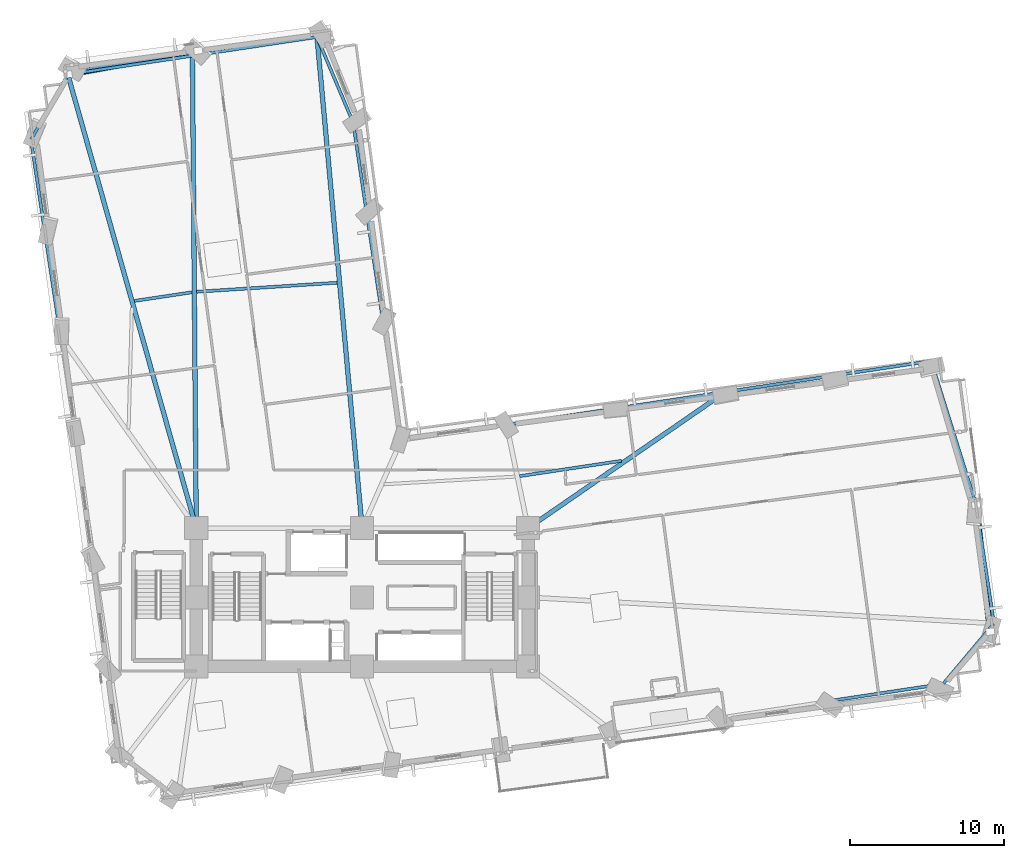
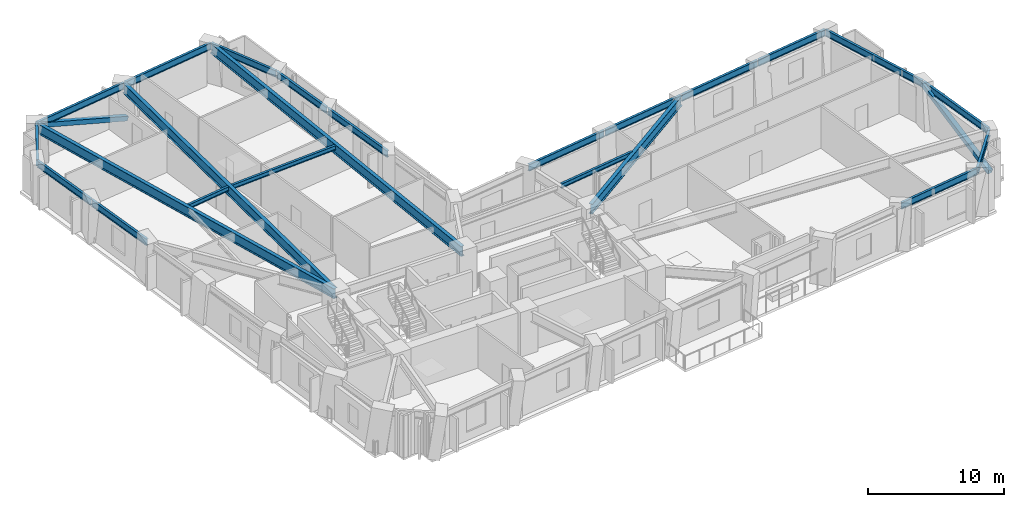
# One storey, part 2 of 14: 23 beams, 2 members.
"""IFC4 building model written with IfcOpenShell, lengths in metres."""

from ifc_helpers import new_model, si_unit, direction, frame, origin, origin_2d, place, context, subcontext, project, spatial, hollow_rectangle, i_section, extrude, material, material_profile, profile_set, type_object, element, save


model = new_model("IFC4")

# Units and contexts
model_context = context("Model", 3, precision=1e-05, world=origin(), true_north=direction((0.0, 1.0)))
body_context = subcontext(model_context, "Body", "Model", "MODEL_VIEW")
ifc_project = project(units=[si_unit("LENGTHUNIT", "METRE"), si_unit("AREAUNIT", "SQUARE_METRE"), si_unit("VOLUMEUNIT", "CUBIC_METRE"), si_unit("PLANEANGLEUNIT", "RADIAN"), si_unit("MASSUNIT", "GRAM", prefix="KILO")], contexts=[model_context])

# Site, building, storey
site_placement = place(None, origin())
site = spatial("IfcSite", under=ifc_project, at=site_placement, CompositionType="ELEMENT")
building_placement = place(site_placement, origin())
building = spatial("IfcBuilding", under=site, at=building_placement, Name="Gaonmaruhae Medical Tower", CompositionType="ELEMENT")
storey_placement = place(building_placement, frame((0.0, 0.0, 55.0)))
storey = spatial("IfcBuildingStorey", under=building, at=storey_placement, Name="L12", CompositionType="ELEMENT", Elevation=55.0)

# Beams
ifc_material_1 = material(Name="Steel SM355", Category="steel")
ifc_material_profile_1 = material_profile(ifc_material_1, i_section(OverallWidth=0.199951171875, OverallDepth=0.39990234375, WebThickness=0.008056640625, FlangeThickness=0.012939453125, FilletRadius=0.012939453125, at=origin_2d()), Name="H-400x200x8x13")
ifc_profile_set_1 = profile_set([ifc_material_profile_1], Name="Steel SM355")
beam_type_1 = type_object("IfcBeamType", Name="FJ-01 Lower Zone Ward Floor Joist (H-400x200x8x13)", PredefinedType="JOIST", material=ifc_profile_set_1)
beam_1_placement = place(storey_placement, frame((41.6748046875, 21.18115234375, 3.580078125), z_axis=(-0.98888682735, -0.148670248182, 0.0), x_axis=(0.148670248182, -0.98888682735, 0.0)))
element("IfcBeam", 1, at=beam_1_placement, inside=storey, type_object=beam_type_1, Name="L12 Secondary Floor Joist FJ05", PredefinedType="JOIST", context=body_context, shape_type="SweptSolid", body=[
    extrude(i_section(OverallWidth=0.199951171875, OverallDepth=0.39990234375, WebThickness=0.008056640625, FlangeThickness=0.012939453125, FilletRadius=0.012939453125, at=origin_2d()), origin(), (0.0, 0.0, 1.0), 6.69677734375),
])
beam_2_placement = place(storey_placement, frame((23.172119140625, 32.775146484375, 3.580078125), z_axis=(-0.997927131101, -0.064354028722, 0.0), x_axis=(0.064354028722, -0.997927131101, 0.0)))
element("IfcBeam", 2, at=beam_2_placement, inside=storey, type_object=beam_type_1, Name="L12 Secondary Floor Joist FJ08", PredefinedType="JOIST", context=body_context, shape_type="SweptSolid", body=[
    extrude(i_section(OverallWidth=0.199951171875, OverallDepth=0.39990234375, WebThickness=0.008056640625, FlangeThickness=0.012939453125, FilletRadius=0.012939453125, at=origin_2d()), origin(), (0.0, 0.0, 1.0), 9.161865234375),
])
beam_3_placement = place(storey_placement, frame((13.7177734375, 32.152099609375, 3.580078125), z_axis=(-0.988888522299, -0.14865897371, 0.0), x_axis=(0.14865897371, -0.988888522299, 0.0)))
element("IfcBeam", 3, at=beam_3_placement, inside=storey, type_object=beam_type_1, Name="L12 Secondary Floor Joist FJ09", PredefinedType="JOIST", context=body_context, shape_type="SweptSolid", body=[
    extrude(i_section(OverallWidth=0.199951171875, OverallDepth=0.39990234375, WebThickness=0.008056640625, FlangeThickness=0.012939453125, FilletRadius=0.012939453125, at=origin_2d()), origin(), (0.0, 0.0, 1.0), 3.785400390625),
])

# Members
ifc_material_2 = material(Name="Steel SM420", Category="steel")
ifc_material_profile_2 = material_profile(ifc_material_2, hollow_rectangle(XDim=0.39990234375, YDim=0.39990234375, WallThickness=0.01611328125, at=origin_2d()), Name="RHS-400x400x16")
ifc_profile_set_2 = profile_set([ifc_material_profile_2], Name="Steel SM420")
member_type = type_object("IfcMemberType", Name="PB-01 Perimeter Solid-Bay Tube Brace Lower (RHS-400x400x16)", PredefinedType="BRACE", material=ifc_profile_set_2)
member_1_placement = place(storey_placement, frame((65.680908203125, 10.0634765625, 0.25), z_axis=(-0.103093564893, 0.924257886315, 0.367585468241), x_axis=(-0.993836644432, -0.110854518108, 0.0)))
element("IfcMember", 4, at=member_1_placement, inside=storey, type_object=member_type, Name="L12 Perimeter Tube Solid-Bay Brace E01-E02", PredefinedType="BRACE", context=body_context, shape_type="SweptSolid", body=[
    extrude(hollow_rectangle(XDim=0.39990234375, YDim=0.39990234375, WallThickness=0.01611328125, at=origin_2d()), origin(), (0.0, 0.0, 1.0), 8.923095703125),
])
member_2_placement = place(storey_placement, frame((14.126708984375, 47.877197265625, 0.25), z_axis=(-0.919626209012, -0.167394716044, 0.355340181711), x_axis=(0.179082144859, -0.983834124938, 0.0)))
element("IfcMember", 5, at=member_2_placement, inside=storey, type_object=member_type, Name="L12 Perimeter Tube Solid-Bay Brace N02-N03", PredefinedType="BRACE", context=body_context, shape_type="SweptSolid", body=[
    extrude(hollow_rectangle(XDim=0.39990234375, YDim=0.39990234375, WallThickness=0.01611328125, at=origin_2d()), origin(), (0.0, 0.0, 1.0), 9.230712890625),
])

# Beams
ifc_material_profile_3 = material_profile(ifc_material_2, i_section(OverallWidth=0.300048828125, OverallDepth=0.89990234375, WebThickness=0.01611328125, FlangeThickness=0.028076171875, FilletRadius=0.01806640625, at=origin_2d()), Name="H-900x300x16x28")
ifc_profile_set_3 = profile_set([ifc_material_profile_3], Name="Steel SM420")
beam_type_2 = type_object("IfcBeamType", Name="PG-01 Zone 1 Radial Floor Girder (H-900x300x16x28)", PredefinedType="BEAM", material=ifc_profile_set_3)
beam_4_placement = place(storey_placement, frame((35.64111328125, 16.828369140625, 3.330078125), z_axis=(0.82282675599, 0.568292292422, 0.0), x_axis=(-0.568292292422, 0.82282675599, 0.0)))
element("IfcBeam", 6, at=beam_4_placement, inside=storey, type_object=beam_type_2, Name="L12 Radial Primary Girder EN02", PredefinedType="BEAM", context=body_context, shape_type="SweptSolid", body=[
    extrude(i_section(OverallWidth=0.300048828125, OverallDepth=0.89990234375, WebThickness=0.01611328125, FlangeThickness=0.028076171875, FilletRadius=0.01806640625, at=origin_2d()), origin(), (0.0, 0.0, 1.0), 15.5),
])
beam_5_placement = place(storey_placement, frame((24.79541015625, 16.849853515625, 3.330078125), z_axis=(-0.091704907397, 0.995786227038, 0.0), x_axis=(-0.995786227038, -0.091704907397, 0.0)))
element("IfcBeam", 7, at=beam_5_placement, inside=storey, type_object=beam_type_2, Name="L12 Radial Primary Girder N01", PredefinedType="BEAM", context=body_context, shape_type="SweptSolid", body=[
    extrude(i_section(OverallWidth=0.300048828125, OverallDepth=0.89990234375, WebThickness=0.01611328125, FlangeThickness=0.028076171875, FilletRadius=0.01806640625, at=origin_2d()), origin(), (0.0, 0.0, 1.0), 32.00537109375),
])
beam_6_placement = place(storey_placement, frame((13.99951171875, 16.85009765625, 3.330078125), z_axis=(-0.008227715794, 0.999966151774, 0.0), x_axis=(-0.999966151774, -0.008227715794, 0.0)))
element("IfcBeam", 8, at=beam_6_placement, inside=storey, type_object=beam_type_2, Name="L12 Radial Primary Girder N02", PredefinedType="BEAM", context=body_context, shape_type="SweptSolid", body=[
    extrude(i_section(OverallWidth=0.300048828125, OverallDepth=0.89990234375, WebThickness=0.01611328125, FlangeThickness=0.028076171875, FilletRadius=0.01806640625, at=origin_2d()), origin(), (0.0, 0.0, 1.0), 30.652099609375),
])
beam_7_placement = place(storey_placement, frame((13.986328125, 16.84814453125, 3.330078125), z_axis=(-0.27243844866, 0.962173212936, 0.0), x_axis=(-0.962173212936, -0.27243844866, 0.0)))
element("IfcBeam", 9, at=beam_7_placement, inside=storey, type_object=beam_type_2, Name="L12 Radial Primary Girder N03", PredefinedType="BEAM", context=body_context, shape_type="SweptSolid", body=[
    extrude(i_section(OverallWidth=0.300048828125, OverallDepth=0.89990234375, WebThickness=0.01611328125, FlangeThickness=0.028076171875, FilletRadius=0.01806640625, at=origin_2d()), origin(), (0.0, 0.0, 1.0), 30.593017578125),
])
ifc_material_profile_4 = material_profile(ifc_material_1, i_section(OverallWidth=0.199951171875, OverallDepth=0.60009765625, WebThickness=0.010986328125, FlangeThickness=0.01708984375, FilletRadius=0.012939453125, at=origin_2d()), Name="H-600x200x11x17")
ifc_profile_set_4 = profile_set([ifc_material_profile_4], Name="Steel SM355")
beam_type_3 = type_object("IfcBeamType", Name="SP-01 Lower Perimeter Spandrel Beam (H-600x200x11x17)", PredefinedType="SPANDREL", material=ifc_profile_set_4)
beam_8_placement = place(storey_placement, frame((55.53857421875, 5.59814453125, 3.47998046875), z_axis=(0.988885236774, 0.148680827582, 0.0), x_axis=(-0.148680827582, 0.988885236774, 0.0)))
element("IfcBeam", 10, at=beam_8_placement, inside=storey, type_object=beam_type_3, Name="L12 Perimeter Spandrel Beam S07-S08", PredefinedType="SPANDREL", context=body_context, shape_type="SweptSolid", body=[
    extrude(i_section(OverallWidth=0.199951171875, OverallDepth=0.60009765625, WebThickness=0.010986328125, FlangeThickness=0.01708984375, FilletRadius=0.012939453125, at=origin_2d()), origin(), (0.0, 0.0, 1.0), 7.119873046875),
])
beam_9_placement = place(storey_placement, frame((62.644775390625, 6.693359375, 3.47998046875), z_axis=(0.642807000103, 0.76602817221, 0.0), x_axis=(-0.76602817221, 0.642807000103, 0.0)))
element("IfcBeam", 11, at=beam_9_placement, inside=storey, type_object=beam_type_3, Name="L12 Perimeter Spandrel Beam S08-E01", PredefinedType="SPANDREL", context=body_context, shape_type="SweptSolid", body=[
    extrude(i_section(OverallWidth=0.199951171875, OverallDepth=0.60009765625, WebThickness=0.010986328125, FlangeThickness=0.01708984375, FilletRadius=0.012939453125, at=origin_2d()), origin(), (0.0, 0.0, 1.0), 5.056396484375),
])
beam_10_placement = place(storey_placement, frame((65.914794921875, 10.636962890625, 3.47998046875), z_axis=(-0.148665191842, 0.988887587512, 0.0), x_axis=(-0.988887587512, -0.148665191842, 0.0)))
element("IfcBeam", 12, at=beam_10_placement, inside=storey, type_object=beam_type_3, Name="L12 Perimeter Spandrel Beam E01-E02", PredefinedType="SPANDREL", context=body_context, shape_type="SweptSolid", body=[
    extrude(i_section(OverallWidth=0.199951171875, OverallDepth=0.60009765625, WebThickness=0.010986328125, FlangeThickness=0.01708984375, FilletRadius=0.012939453125, at=origin_2d()), origin(), (0.0, 0.0, 1.0), 7.719970703125),
])
beam_11_placement = place(storey_placement, frame((64.749267578125, 18.348876953125, 3.47998046875), z_axis=(-0.298053654942, 0.954549118053, 0.0), x_axis=(-0.954549118053, -0.298053654942, 0.0)))
element("IfcBeam", 13, at=beam_11_placement, inside=storey, type_object=beam_type_3, Name="L12 Perimeter Spandrel Beam E02-E03", PredefinedType="SPANDREL", context=body_context, shape_type="SweptSolid", body=[
    extrude(i_section(OverallWidth=0.199951171875, OverallDepth=0.60009765625, WebThickness=0.010986328125, FlangeThickness=0.01708984375, FilletRadius=0.012939453125, at=origin_2d()), origin(), (0.0, 0.0, 1.0), 9.735107421875),
])
beam_12_placement = place(storey_placement, frame((61.796142578125, 27.673828125, 3.47998046875), z_axis=(-0.988888033624, -0.148662224372, 0.0), x_axis=(0.148662224372, -0.988888033624, 0.0)))
element("IfcBeam", 14, at=beam_12_placement, inside=storey, type_object=beam_type_3, Name="L12 Perimeter Spandrel Beam E03-EN01", PredefinedType="SPANDREL", context=body_context, shape_type="SweptSolid", body=[
    extrude(i_section(OverallWidth=0.199951171875, OverallDepth=0.60009765625, WebThickness=0.010986328125, FlangeThickness=0.01708984375, FilletRadius=0.012939453125, at=origin_2d()), origin(), (0.0, 0.0, 1.0), 6.27001953125),
])
beam_13_placement = place(storey_placement, frame((55.5166015625, 26.729736328125, 3.47998046875), z_axis=(-0.98889027781, -0.148647295479, 0.0), x_axis=(0.148647295479, -0.98889027781, 0.0)))
element("IfcBeam", 15, at=beam_13_placement, inside=storey, type_object=beam_type_3, Name="L12 Perimeter Spandrel Beam EN01-EN02", PredefinedType="SPANDREL", context=body_context, shape_type="SweptSolid", body=[
    extrude(i_section(OverallWidth=0.199951171875, OverallDepth=0.60009765625, WebThickness=0.010986328125, FlangeThickness=0.01708984375, FilletRadius=0.012939453125, at=origin_2d()), origin(), (0.0, 0.0, 1.0), 7.119873046875),
])
beam_14_placement = place(storey_placement, frame((48.396728515625, 25.659423828125, 3.47998046875), z_axis=(-0.988885994747, -0.148675786173, 0.0), x_axis=(0.148675786173, -0.988885994747, 0.0)))
element("IfcBeam", 16, at=beam_14_placement, inside=storey, type_object=beam_type_3, Name="L12 Perimeter Spandrel Beam EN02-EN03", PredefinedType="SPANDREL", context=body_context, shape_type="SweptSolid", body=[
    extrude(i_section(OverallWidth=0.199951171875, OverallDepth=0.60009765625, WebThickness=0.010986328125, FlangeThickness=0.01708984375, FilletRadius=0.012939453125, at=origin_2d()), origin(), (0.0, 0.0, 1.0), 7.1201171875),
])
beam_15_placement = place(storey_placement, frame((41.276611328125, 24.5888671875, 3.47998046875), z_axis=(-0.98889027781, -0.148647295479, 0.0), x_axis=(0.148647295479, -0.98889027781, 0.0)))
element("IfcBeam", 17, at=beam_15_placement, inside=storey, type_object=beam_type_3, Name="L12 Perimeter Spandrel Beam EN03-EN04", PredefinedType="SPANDREL", context=body_context, shape_type="SweptSolid", body=[
    extrude(i_section(OverallWidth=0.199951171875, OverallDepth=0.60009765625, WebThickness=0.010986328125, FlangeThickness=0.01708984375, FilletRadius=0.012939453125, at=origin_2d()), origin(), (0.0, 0.0, 1.0), 7.119873046875),
])
beam_16_placement = place(storey_placement, frame((26.165283203125, 30.194580078125, 3.47998046875), z_axis=(-0.148675786173, 0.988885994747, 0.0), x_axis=(-0.988885994747, -0.148675786173, 0.0)))
element("IfcBeam", 18, at=beam_16_placement, inside=storey, type_object=beam_type_3, Name="L12 Perimeter Spandrel Beam NE01-NE02", PredefinedType="SPANDREL", context=body_context, shape_type="SweptSolid", body=[
    extrude(i_section(OverallWidth=0.199951171875, OverallDepth=0.60009765625, WebThickness=0.010986328125, FlangeThickness=0.01708984375, FilletRadius=0.012939453125, at=origin_2d()), origin(), (0.0, 0.0, 1.0), 7.1201171875),
])
beam_17_placement = place(storey_placement, frame((25.094970703125, 37.314697265625, 3.47998046875), z_axis=(-0.148675215627, 0.988886080526, 0.0), x_axis=(-0.988886080526, -0.148675215627, 0.0)))
element("IfcBeam", 19, at=beam_17_placement, inside=storey, type_object=beam_type_3, Name="L12 Perimeter Spandrel Beam NE02-NE03", PredefinedType="SPANDREL", context=body_context, shape_type="SweptSolid", body=[
    extrude(i_section(OverallWidth=0.199951171875, OverallDepth=0.60009765625, WebThickness=0.010986328125, FlangeThickness=0.01708984375, FilletRadius=0.012939453125, at=origin_2d()), origin(), (0.0, 0.0, 1.0), 5.919677734375),
])
beam_18_placement = place(storey_placement, frame((24.193115234375, 43.2451171875, 3.47998046875), z_axis=(-0.389613260717, 0.920978559508, 0.0), x_axis=(-0.920978559508, -0.389613260717, 0.0)))
element("IfcBeam", 20, at=beam_18_placement, inside=storey, type_object=beam_type_3, Name="L12 Perimeter Spandrel Beam NE03-N01", PredefinedType="SPANDREL", context=body_context, shape_type="SweptSolid", body=[
    extrude(i_section(OverallWidth=0.199951171875, OverallDepth=0.60009765625, WebThickness=0.010986328125, FlangeThickness=0.01708984375, FilletRadius=0.012939453125, at=origin_2d()), origin(), (0.0, 0.0, 1.0), 5.959228515625),
])
for number, where, z_axis, x_axis, name in (
    (21, (21.816162109375, 48.764404296875, 3.47998046875), (-0.988885571702, -0.148678599941, 0.0), (0.148678599941, -0.988885571702, 0.0), "L12 Perimeter Spandrel Beam N01-N02"),
    (22, (13.707275390625, 47.545166015625, 3.47998046875), (-0.988889991838, -0.148649197922, 0.0), (0.148649197922, -0.988889991838, 0.0), "L12 Perimeter Spandrel Beam N02-N03"),
):
    element("IfcBeam", number, at=place(storey_placement, frame(where, z_axis=z_axis, x_axis=x_axis)), inside=storey, type_object=beam_type_3, Name=name, PredefinedType="SPANDREL", context=body_context, shape_type="SweptSolid", body=[
        extrude(i_section(OverallWidth=0.199951171875, OverallDepth=0.60009765625, WebThickness=0.010986328125, FlangeThickness=0.01708984375, FilletRadius=0.012939453125, at=origin_2d()), origin(), (0.0, 0.0, 1.0), 8.1201171875),
    ])
beam_19_placement = place(storey_placement, frame((5.618408203125, 46.29736328125, 3.47998046875), z_axis=(-0.490531629221, -0.871423387759, 0.0), x_axis=(0.871423387759, -0.490531629221, 0.0)))
element("IfcBeam", 23, at=beam_19_placement, inside=storey, type_object=beam_type_3, Name="L12 Perimeter Spandrel Beam N03-W01", PredefinedType="SPANDREL", context=body_context, shape_type="SweptSolid", body=[
    extrude(i_section(OverallWidth=0.199951171875, OverallDepth=0.60009765625, WebThickness=0.010986328125, FlangeThickness=0.01708984375, FilletRadius=0.012939453125, at=origin_2d()), origin(), (0.0, 0.0, 1.0), 4.80078125),
])
beam_20_placement = place(storey_placement, frame((3.249755859375, 42.039306640625, 3.47998046875), z_axis=(0.148648352575, -0.988890118909, 0.0), x_axis=(0.988890118909, 0.148648352575, 0.0)))
element("IfcBeam", 24, at=beam_20_placement, inside=storey, type_object=beam_type_3, Name="L12 Perimeter Spandrel Beam W01-W02", PredefinedType="SPANDREL", context=body_context, shape_type="SweptSolid", body=[
    extrude(i_section(OverallWidth=0.199951171875, OverallDepth=0.60009765625, WebThickness=0.010986328125, FlangeThickness=0.01708984375, FilletRadius=0.012939453125, at=origin_2d()), origin(), (0.0, 0.0, 1.0), 6.320068359375),
])
beam_21_placement = place(storey_placement, frame((4.201171875, 35.71044921875, 3.47998046875), z_axis=(0.148693835752, -0.988883280883, 0.0), x_axis=(0.988883280883, 0.148693835752, 0.0)))
element("IfcBeam", 25, at=beam_21_placement, inside=storey, type_object=beam_type_3, Name="L12 Perimeter Spandrel Beam W02-W03", PredefinedType="SPANDREL", context=body_context, shape_type="SweptSolid", body=[
    extrude(i_section(OverallWidth=0.199951171875, OverallDepth=0.60009765625, WebThickness=0.010986328125, FlangeThickness=0.01708984375, FilletRadius=0.012939453125, at=origin_2d()), origin(), (0.0, 0.0, 1.0), 6.52001953125),
])

save(model, "model.ifc")
